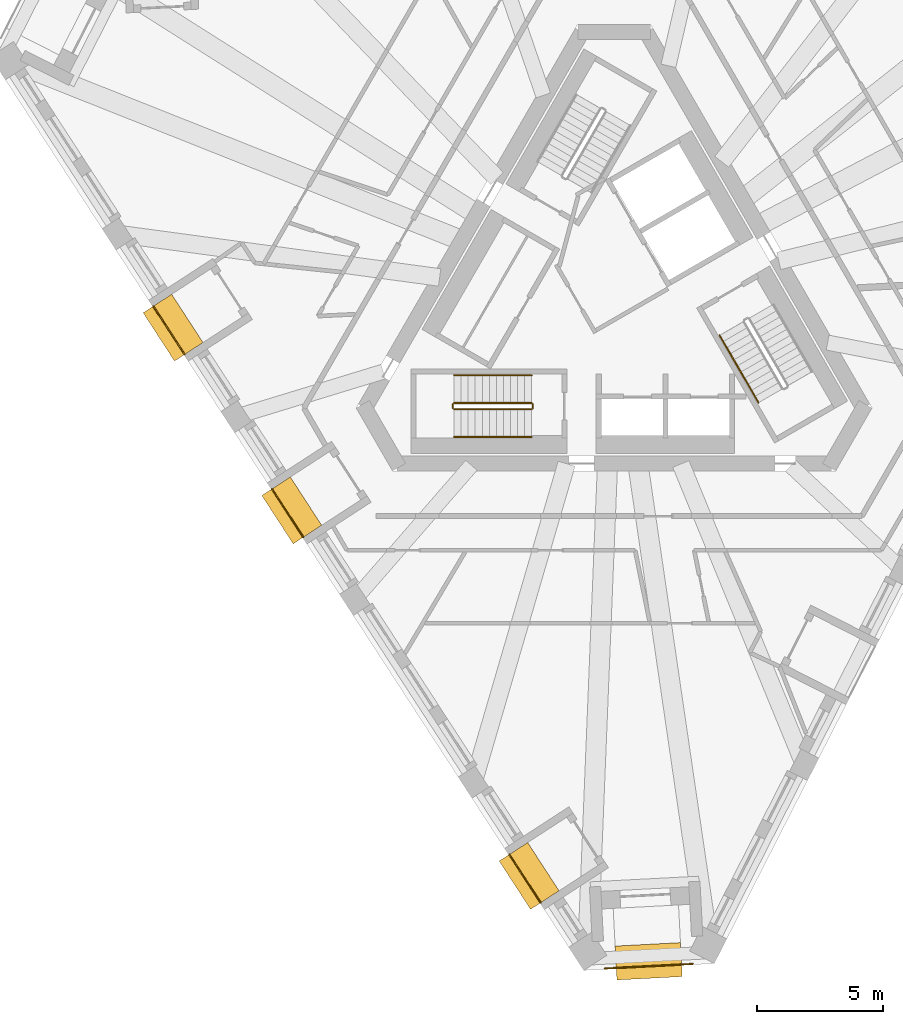
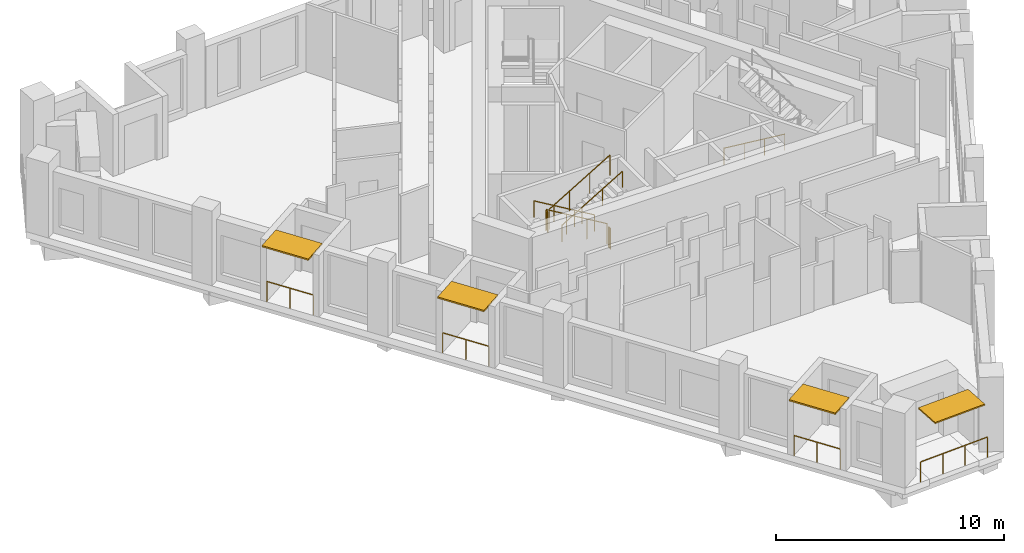
# One storey, part 9 of 12: 11 railings, 4 shading devices.
"""IFC4 building model written with IfcOpenShell, lengths in metres."""

from ifc_helpers import new_model, si_unit, direction, frame, origin, origin_2d, place, context, subcontext, project, spatial, rectangle, circle, extrude, material, layer, layer_set, type_object, element, save


model = new_model("IFC4")

# Units and contexts
model_context = context("Model", 3, precision=1e-05, world=origin(), true_north=direction((0.0, 1.0)))
body_context = subcontext(model_context, "Body", "Model", "MODEL_VIEW")
ifc_project = project(units=[si_unit("LENGTHUNIT", "METRE"), si_unit("AREAUNIT", "SQUARE_METRE"), si_unit("VOLUMEUNIT", "CUBIC_METRE"), si_unit("PLANEANGLEUNIT", "RADIAN"), si_unit("MASSUNIT", "GRAM", prefix="KILO")], contexts=[model_context])

# Site, building, storey
site_placement = place(None, origin())
site = spatial("IfcSite", under=ifc_project, at=site_placement, CompositionType="ELEMENT")
building_placement = place(site_placement, origin())
building = spatial("IfcBuilding", under=site, at=building_placement, Name="Tramontana Tower", CompositionType="ELEMENT")
storey_placement = place(building_placement, frame((0.0, 0.0, 298.39990234375)))
storey = spatial("IfcBuildingStorey", under=building, at=storey_placement, Name="L70", CompositionType="ELEMENT", Elevation=298.39990234375)

# Railings
ifc_material_1 = material(Name="Laminated glass balustrade", Category="glass")
railing_type_1 = type_object("IfcRailingType", Name="GD1 Loggia glass balustrade 1100", PredefinedType="BALUSTRADE", material=ifc_material_1)
railing_1_placement = place(storey_placement, frame((-18.313720703125, -0.20361328125, 0.0)))
element("IfcRailing", 1, at=railing_1_placement, inside=storey, type_object=railing_type_1, Name="Loggia balustrade L70 G7S0.4", PredefinedType="BALUSTRADE", context=body_context, shape_type="SweptSolid", body=[
    extrude(circle(Radius=0.02392578125, at=origin_2d()), frame((0.0, 0.0, 1.076171875), z_axis=(0.544706869801, -0.83862651162, 0.0), x_axis=(0.83862651162, 0.544706869801, 0.0)), (0.0, 0.0, 1.0), 2.286865234375),
    extrude(circle(Radius=0.02099609375, at=origin_2d()), origin(), (0.0, 0.0, 1.0), 1.052001953125),
    extrude(circle(Radius=0.02099609375, at=origin_2d()), frame((0.622802734375, -0.958984375, 0.0)), (0.0, 0.0, 1.0), 1.052001953125),
    extrude(circle(Radius=0.02099609375, at=origin_2d()), frame((1.24560546875, -1.917724609375, 0.0)), (0.0, 0.0, 1.0), 1.052001953125),
])
railing_2_placement = place(storey_placement, frame((-13.596923828125, -7.466552734375, 0.0)))
element("IfcRailing", 2, at=railing_2_placement, inside=storey, type_object=railing_type_1, Name="Loggia balustrade L70 G7S0.7", PredefinedType="BALUSTRADE", context=body_context, shape_type="SweptSolid", body=[
    extrude(circle(Radius=0.02392578125, at=origin_2d()), frame((0.0, 0.0, 1.076171875), z_axis=(0.544583011522, -0.838706947367, 0.0), x_axis=(0.838706947367, 0.544583011522, 0.0)), (0.0, 0.0, 1.0), 2.286865234375),
    extrude(circle(Radius=0.02099609375, at=origin_2d()), origin(), (0.0, 0.0, 1.0), 1.052001953125),
    extrude(circle(Radius=0.02099609375, at=origin_2d()), frame((0.62255859375, -0.958984375, 0.0)), (0.0, 0.0, 1.0), 1.052001953125),
    extrude(circle(Radius=0.02099609375, at=origin_2d()), frame((1.245361328125, -1.91796875, 0.0)), (0.0, 0.0, 1.0), 1.052001953125),
])
railing_3_placement = place(storey_placement, frame((-4.16357421875, -21.992919921875, 0.0)))
element("IfcRailing", 3, at=railing_3_placement, inside=storey, type_object=railing_type_1, Name="Loggia balustrade L70 G7S0.13", PredefinedType="BALUSTRADE", context=body_context, shape_type="SweptSolid", body=[
    extrude(circle(Radius=0.02392578125, at=origin_2d()), frame((0.0, 0.0, 1.076171875), z_axis=(0.544706869801, -0.83862651162, 0.0), x_axis=(0.83862651162, 0.544706869801, 0.0)), (0.0, 0.0, 1.0), 2.286865234375),
    extrude(circle(Radius=0.02099609375, at=origin_2d()), origin(), (0.0, 0.0, 1.0), 1.052001953125),
    extrude(circle(Radius=0.02099609375, at=origin_2d()), frame((0.622802734375, -0.958984375, 0.0)), (0.0, 0.0, 1.0), 1.052001953125),
    extrude(circle(Radius=0.02099609375, at=origin_2d()), frame((1.24560546875, -1.917724609375, 0.0)), (0.0, 0.0, 1.0), 1.052001953125),
])
railing_4_placement = place(storey_placement, frame((3.1328125, -26.342041015625, 0.0)))
element("IfcRailing", 4, at=railing_4_placement, inside=storey, type_object=railing_type_1, Name="Corner loggia balustrade L70 K71", PredefinedType="BALUSTRADE", context=body_context, shape_type="SweptSolid", body=[
    extrude(circle(Radius=0.02392578125, at=origin_2d()), frame((0.0, 0.0, 1.076171875), z_axis=(-0.998626871225, -0.0523867547, 0.0), x_axis=(0.0523867547, -0.998626871225, 0.0)), (0.0, 0.0, 1.0), 3.5),
    extrude(circle(Radius=0.02099609375, at=origin_2d()), origin(), (0.0, 0.0, 1.0), 1.052001953125),
    extrude(circle(Radius=0.02099609375, at=origin_2d()), frame((-1.1650390625, -0.06103515625, 0.0)), (0.0, 0.0, 1.0), 1.052001953125),
    extrude(circle(Radius=0.02099609375, at=origin_2d()), frame((-2.330078125, -0.122314453125, 0.0)), (0.0, 0.0, 1.0), 1.052001953125),
    extrude(circle(Radius=0.02099609375, at=origin_2d()), frame((-3.4951171875, -0.183349609375, 0.0)), (0.0, 0.0, 1.0), 1.052001953125),
])

# Shading devices
ifc_material_2 = material(Name="Precast concrete 60 MPa", Category="concrete")
ifc_layer_1 = layer(ifc_material_2, 0.070068359375)
ifc_layer_set_1 = layer_set([ifc_layer_1], Name="SS2 Stone sunshade blade 70")
shading_device_type_1 = type_object("IfcShadingDeviceType", Name="SS2 Stone sunshade blade 70", PredefinedType="USERDEFINED", material=ifc_layer_set_1)
shading_device_placement = place(storey_placement, frame((1.375244140625, -26.239013671875, 3.22998046875), z_axis=(0.0, 0.0, 1.0), x_axis=(-0.998629534755, -0.052335956243, 0.0)))
element("IfcShadingDevice", 5, at=shading_device_placement, inside=storey, type_object=shading_device_type_1, Name="Corner sunshade L70 K71", ObjectType="SUNSHADE", PredefinedType="USERDEFINED", context=body_context, shape_type="SweptSolid", body=[
    extrude(rectangle(XDim=2.60009765625, YDim=1.35009765625, at=origin_2d()), origin(), (0.0, 0.0, 1.0), 0.070068359375),
])
ifc_material_3 = material(Name="Precast concrete 60 MPa", Category="concrete")
ifc_layer_2 = layer(ifc_material_3, 0.080078125)
ifc_layer_set_2 = layer_set([ifc_layer_2], Name="SS3 Stone sunshade blade 80")
shading_device_type_2 = type_object("IfcShadingDeviceType", Name="SS3 Stone sunshade blade 80", PredefinedType="USERDEFINED", material=ifc_layer_set_2)
for number, where, z_axis, x_axis, name in (
    (6, (-17.52734375, -1.05615234375, 3.219970703125), (0.0, 0.0, 1.0), (0.544639035015, -0.838670567945, 0.0), "Sunshade L70 G7S0.4"),
    (7, (-12.810791015625, -8.3193359375, 3.219970703125), (0.0, 0.0, 1.0), (0.544639035015, -0.838670567945, 0.0), "Sunshade L70 G7S0.7"),
    (8, (-3.377197265625, -22.845458984375, 3.219970703125), (0.0, 0.0, 1.0), (0.544639035015, -0.838670567945, 0.0), "Sunshade L70 G7S0.13"),
):
    element("IfcShadingDevice", number, at=place(storey_placement, frame(where, z_axis=z_axis, x_axis=x_axis)), inside=storey, type_object=shading_device_type_2, Name=name, ObjectType="SUNSHADE", PredefinedType="USERDEFINED", context=body_context, shape_type="SweptSolid", body=[
        extrude(rectangle(XDim=2.286865234375, YDim=1.35009765625, at=origin_2d()), origin(), (0.0, 0.0, 1.0), 0.080078125),
    ])

# Railings
ifc_material_4 = material(Name="Painted steel", Category="steel")
railing_type_2 = type_object("IfcRailingType", Name="STAIR GUARD 1100", PredefinedType="GUARDRAIL", material=ifc_material_4)
railing_5_placement = place(storey_placement, frame((-3.280029296875, -4.050048828125, 0.166748046875)))
element("IfcRailing", 9, at=railing_5_placement, inside=storey, type_object=railing_type_2, Name="L70 ST2 stair guard 1", PredefinedType="GUARDRAIL", context=body_context, shape_type="SweptSolid", body=[
    extrude(circle(Radius=0.02392578125, at=origin_2d()), frame((0.0, 0.0, 1.076171875), z_axis=(-0.859308565015, 0.0, 0.511457515432), x_axis=(0.0, -1.0, 0.0)), (0.0, 0.0, 1.0), 3.58447265625),
    extrude(circle(Radius=0.02099609375, at=origin_2d()), origin(), (0.0, 0.0, 1.0), 1.052001953125),
    extrude(circle(Radius=0.02099609375, at=origin_2d()), frame((-1.026611328125, 0.0, 0.611083984375)), (0.0, 0.0, 1.0), 1.052001953125),
    extrude(circle(Radius=0.02099609375, at=origin_2d()), frame((-2.053466796875, 0.0, 1.22216796875)), (0.0, 0.0, 1.0), 1.052001953125),
    extrude(circle(Radius=0.02099609375, at=origin_2d()), frame((-3.080078125, 0.0, 1.833251953125)), (0.0, 0.0, 1.0), 1.052001953125),
])
railing_6_placement = place(storey_placement, frame((-6.360107421875, -4.300048828125, 2.166748046875)))
element("IfcRailing", 10, at=railing_6_placement, inside=storey, type_object=railing_type_2, Name="L70 ST2 stair guard 2", PredefinedType="GUARDRAIL", context=body_context, shape_type="SweptSolid", body=[
    extrude(circle(Radius=0.02392578125, at=origin_2d()), frame((0.0, 0.0, 1.076171875), z_axis=(0.859308565015, 0.0, 0.511457515432), x_axis=(0.0, 1.0, 0.0)), (0.0, 0.0, 1.0), 3.58447265625),
    extrude(circle(Radius=0.02099609375, at=origin_2d()), origin(), (0.0, 0.0, 1.0), 1.052001953125),
    extrude(circle(Radius=0.02099609375, at=origin_2d()), frame((1.026611328125, 0.0, 0.611083984375)), (0.0, 0.0, 1.0), 1.052001953125),
    extrude(circle(Radius=0.02099609375, at=origin_2d()), frame((2.053466796875, 0.0, 1.22216796875)), (0.0, 0.0, 1.0), 1.052001953125),
    extrude(circle(Radius=0.02099609375, at=origin_2d()), frame((3.080078125, 0.0, 1.833251953125)), (0.0, 0.0, 1.0), 1.052001953125),
])
for number, where, name in (
    (11, (-6.409912109375, -4.10009765625, 2.0), "L70 ST2 stair guard 3"),
    (12, (-3.22998046875, -4.10009765625, 0.0), "L70 ST2 stair guard 4"),
):
    element("IfcRailing", number, at=place(storey_placement, frame(where)), inside=storey, type_object=railing_type_2, Name=name, PredefinedType="GUARDRAIL", context=body_context, shape_type="SweptSolid", body=[
        extrude(circle(Radius=0.02392578125, at=origin_2d()), frame((0.0, 0.0, 1.076171875), z_axis=(0.0, -1.0, 0.0), x_axis=(1.0, 0.0, 0.0)), (0.0, 0.0, 1.0), 0.14990234375),
        extrude(circle(Radius=0.02099609375, at=origin_2d()), origin(), (0.0, 0.0, 1.0), 1.052001953125),
        extrude(circle(Radius=0.02099609375, at=origin_2d()), frame((0.0, -0.14990234375, 0.0)), (0.0, 0.0, 1.0), 1.052001953125),
    ])
ifc_material_5 = material(Name="Painted steel", Category="steel")
railing_type_3 = type_object("IfcRailingType", Name="STAIR HANDRAIL 900", PredefinedType="HANDRAIL", material=ifc_material_5)
railing_7_placement = place(storey_placement, frame((-3.280029296875, -2.949951171875, 0.166748046875)))
element("IfcRailing", 13, at=railing_7_placement, inside=storey, type_object=railing_type_3, Name="L70 ST2 stair handrail 1", PredefinedType="HANDRAIL", context=body_context, shape_type="SweptSolid", body=[
    extrude(circle(Radius=0.02392578125, at=origin_2d()), frame((0.0, 0.0, 0.8759765625), z_axis=(-0.859308565015, 0.0, 0.511457515432), x_axis=(0.0, -1.0, 0.0)), (0.0, 0.0, 1.0), 3.58447265625),
    extrude(circle(Radius=0.02099609375, at=origin_2d()), origin(), (0.0, 0.0, 1.0), 0.851806640625),
    extrude(circle(Radius=0.02099609375, at=origin_2d()), frame((-1.026611328125, 0.0, 0.611083984375)), (0.0, 0.0, 1.0), 0.851806640625),
    extrude(circle(Radius=0.02099609375, at=origin_2d()), frame((-2.053466796875, 0.0, 1.22216796875)), (0.0, 0.0, 1.0), 0.851806640625),
    extrude(circle(Radius=0.02099609375, at=origin_2d()), frame((-3.080078125, 0.0, 1.833251953125)), (0.0, 0.0, 1.0), 0.851806640625),
])
railing_8_placement = place(storey_placement, frame((-6.360107421875, -5.39990234375, 2.166748046875)))
element("IfcRailing", 14, at=railing_8_placement, inside=storey, type_object=railing_type_3, Name="L70 ST2 stair handrail 2", PredefinedType="HANDRAIL", context=body_context, shape_type="SweptSolid", body=[
    extrude(circle(Radius=0.02392578125, at=origin_2d()), frame((0.0, 0.0, 0.8759765625), z_axis=(0.859308565015, 0.0, 0.511457515432), x_axis=(0.0, 1.0, 0.0)), (0.0, 0.0, 1.0), 3.58447265625),
    extrude(circle(Radius=0.02099609375, at=origin_2d()), origin(), (0.0, 0.0, 1.0), 0.851806640625),
    extrude(circle(Radius=0.02099609375, at=origin_2d()), frame((1.026611328125, 0.0, 0.611083984375)), (0.0, 0.0, 1.0), 0.851806640625),
    extrude(circle(Radius=0.02099609375, at=origin_2d()), frame((2.053466796875, 0.0, 1.22216796875)), (0.0, 0.0, 1.0), 0.851806640625),
    extrude(circle(Radius=0.02099609375, at=origin_2d()), frame((3.080078125, 0.0, 1.833251953125)), (0.0, 0.0, 1.0), 0.851806640625),
])
railing_9_placement = place(storey_placement, frame((4.19482421875, -1.365478515625, 0.166748046875)))
element("IfcRailing", 15, at=railing_9_placement, inside=storey, type_object=railing_type_3, Name="L70 ST3 stair handrail 1", PredefinedType="HANDRAIL", context=body_context, shape_type="SweptSolid", body=[
    extrude(circle(Radius=0.02392578125, at=origin_2d()), frame((0.0, 0.0, 0.8759765625), z_axis=(0.429649414936, -0.744189839504, 0.511451721109), x_axis=(0.866029832698, 0.499992328818, 0.0)), (0.0, 0.0, 1.0), 3.58447265625),
    extrude(circle(Radius=0.02099609375, at=origin_2d()), origin(), (0.0, 0.0, 1.0), 0.851806640625),
    extrude(circle(Radius=0.02099609375, at=origin_2d()), frame((0.513427734375, -0.88916015625, 0.611083984375)), (0.0, 0.0, 1.0), 0.851806640625),
    extrude(circle(Radius=0.02099609375, at=origin_2d()), frame((1.026611328125, -1.7783203125, 1.22216796875)), (0.0, 0.0, 1.0), 0.851806640625),
    extrude(circle(Radius=0.02099609375, at=origin_2d()), frame((1.5400390625, -2.66748046875, 1.833251953125)), (0.0, 0.0, 1.0), 0.851806640625),
])

save(model, "model.ifc")
